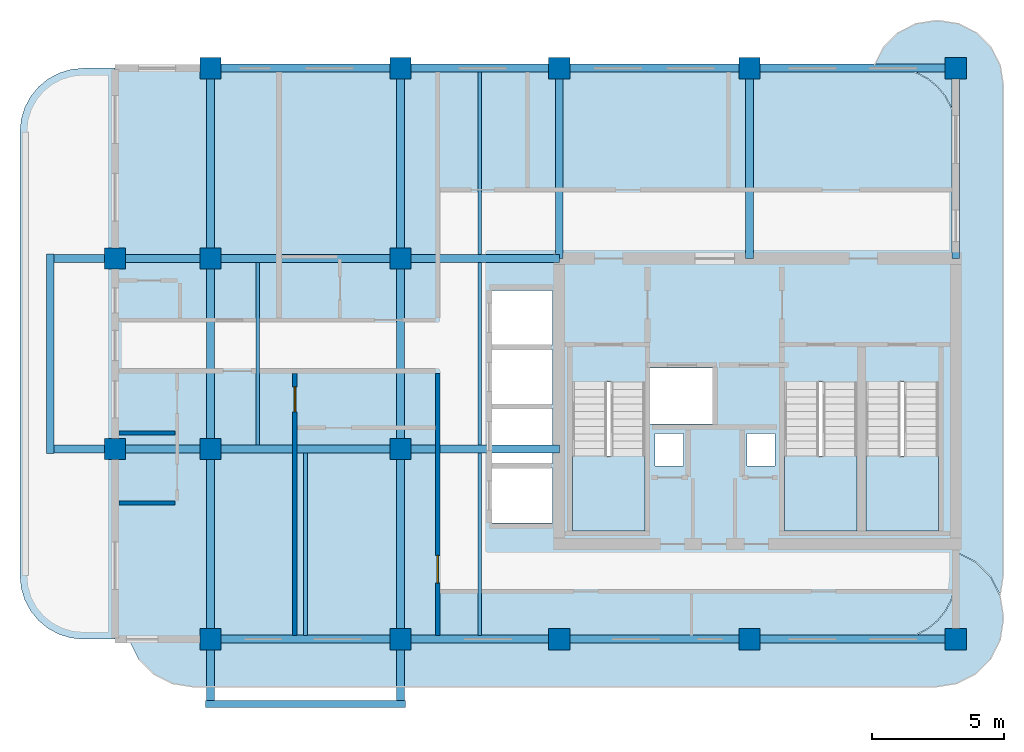
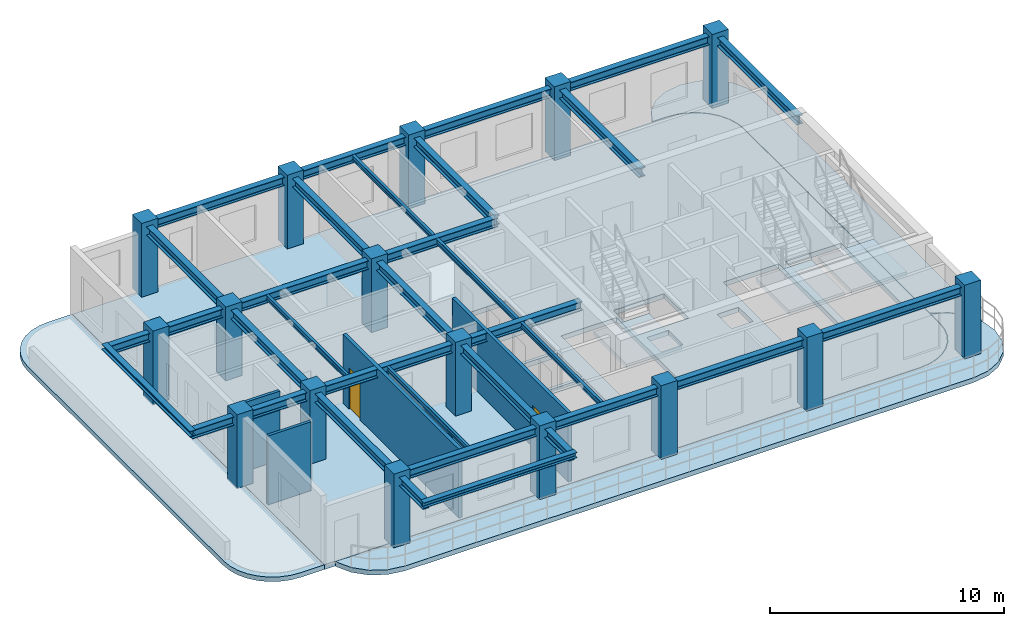
# One storey, part 1 of 7: 28 beams, 16 columns, 7 slabs, 4 walls, 2 doors, 2 openings, 3 elements without a shape of their own.
"""IFC4 building model written with IfcOpenShell, lengths in metres."""

import ifcopenshell
import ifcopenshell.guid

model = None  # the IFC model being written
_history = None  # IfcOwnerHistory: only IFC2X3 demands one
_inside = {}  # id of a spatial element -> (the spatial element, [elements in it])
_under = {}  # id of a project, library or spatial element -> (it, [spatial elements below it])
_declared = {}  # id of a project -> (the project, [libraries it declares])
_typed = {}  # id of a type object -> (the type object, [elements of that type])
_made_of = {}  # id of a material, layer set ... -> (it, [elements and type objects made of it])


def new_model(schema):
    """Start an empty IFC model of exactly this schema.

    Asked for "IFC4X3", IfcOpenShell would pick the latest addendum, in which some entities
    have other attributes; the version numbers below select the first issue.
    IFC2X3 requires an IfcOwnerHistory on every rooted entity: one is made here for all.
    """
    global model, _history
    if schema == "IFC4X3":
        model = ifcopenshell.file(schema_version=(4, 3, 0, 0))
    else:
        model = ifcopenshell.file(schema=schema)
    _inside.clear()
    _under.clear()
    _declared.clear()
    _typed.clear()
    _made_of.clear()
    _history = None
    if model.schema == "IFC2X3":
        org = make("IfcOrganization", Name="unknown")
        user = make(
            "IfcPersonAndOrganization",
            ThePerson=make("IfcPerson", FamilyName="unknown"),
            TheOrganization=org,
        )
        app = make(
            "IfcApplication",
            ApplicationDeveloper=org,
            Version="unknown",
            ApplicationFullName="unknown",
            ApplicationIdentifier="unknown",
        )
        _history = make(
            "IfcOwnerHistory",
            OwningUser=user,
            OwningApplication=app,
            ChangeAction="ADDED",
            CreationDate=0,
        )
    return model


def make(cls, **values):
    """One entity of the class cls with the attributes given. An attribute that is None is left unset."""
    return model.create_entity(
        cls, **{name: value for name, value in values.items() if value is not None}
    )


def rooted(cls, **values):
    """An entity with a GlobalId (a new one), such as an element, a storey or a relation."""
    return make(cls, GlobalId=ifcopenshell.guid.new(), OwnerHistory=_history, **values)


def si_unit(unit_type, name, prefix=None):
    """IfcSIUnit, for example si_unit("LENGTHUNIT", "METRE", prefix="MILLI")."""
    return make("IfcSIUnit", UnitType=unit_type, Prefix=prefix, Name=name)


def derived_unit(unit_type, elements):
    """IfcDerivedUnit: a product of units, each with its exponent."""
    return make(
        "IfcDerivedUnit",
        Elements=[
            make("IfcDerivedUnitElement", Unit=unit, Exponent=power)
            for unit, power in elements
        ],
        UnitType=unit_type,
    )


def assignment(units):
    """IfcUnitAssignment: the units of a project."""
    return None if units is None else make("IfcUnitAssignment", Units=units)


def point(xyz):
    """IfcCartesianPoint."""
    return None if xyz is None else make("IfcCartesianPoint", Coordinates=xyz)


def direction(xyz):
    """IfcDirection."""
    return None if xyz is None else make("IfcDirection", DirectionRatios=xyz)


def frame(location, z_axis=None, x_axis=None):
    """IfcAxis2Placement3D, a coordinate frame: its origin and axes. An axis left out is left unset."""
    return make(
        "IfcAxis2Placement3D",
        Location=point(location),
        Axis=direction(z_axis),
        RefDirection=direction(x_axis),
    )


def frame_2d(location, x_axis=None):
    """IfcAxis2Placement2D, a coordinate frame in the plane: its origin and x axis."""
    return make(
        "IfcAxis2Placement2D", Location=point(location), RefDirection=direction(x_axis)
    )


def origin():
    """The frame at (0, 0, 0) with its axes left unset."""
    return frame((0.0, 0.0, 0.0))


def origin_2d():
    """The frame at (0, 0) in the plane with its x axis left unset."""
    return frame_2d((0.0, 0.0))


def place(relative_to, where):
    """IfcLocalPlacement: puts the frame where relative to a parent placement (None: the world)."""
    return make(
        "IfcLocalPlacement", PlacementRelTo=relative_to, RelativePlacement=where
    )


def context(
    kind, dimensions, precision=None, world=None, true_north=None, identifier=None
):
    """IfcGeometricRepresentationContext, for example the 3D "Model" context."""
    return make(
        "IfcGeometricRepresentationContext",
        ContextIdentifier=identifier,
        ContextType=kind,
        CoordinateSpaceDimension=dimensions,
        Precision=precision,
        WorldCoordinateSystem=world,
        TrueNorth=true_north,
    )


def subcontext(parent, identifier, kind, view, scale=None):
    """IfcGeometricRepresentationSubContext, for example "Body" below "Model"."""
    return make(
        "IfcGeometricRepresentationSubContext",
        ContextIdentifier=identifier,
        ContextType=kind,
        ParentContext=parent,
        TargetScale=scale,
        TargetView=view,
    )


def project(units=None, contexts=None):
    """IfcProject with its units and contexts."""
    return rooted(
        "IfcProject",
        Name="project",
        RepresentationContexts=contexts,
        UnitsInContext=assignment(units),
    )


def spatial(cls, under=None, at=None, **own):
    """A site, building, storey or space (cls), placed at a placement, below another one or the project."""
    s = rooted(cls, ObjectPlacement=at, **own)
    if under is not None:
        _under.setdefault(under.id(), (under, []))[1].append(s)
    return s


def polyline(points):
    """IfcPolyline through the points."""
    return make("IfcPolyline", Points=[point(p) for p in points])


def profile(cls, at=None, kind="AREA", **sizes):
    """A parametric profile (cls). Its sizes go by their IFC names, for example OverallWidth=200.0."""
    return make(cls, ProfileType=kind, Position=at, **sizes)


def rectangle(**sizes):
    """IfcRectangleProfileDef."""
    return profile("IfcRectangleProfileDef", **sizes)


def i_section(**sizes):
    """IfcIShapeProfileDef."""
    return profile("IfcIShapeProfileDef", **sizes)


def outline(outer, holes=None, kind="AREA"):
    """IfcArbitraryClosedProfileDef: a profile drawn as a closed curve; with holes, ...WithVoids."""
    if holes is None:
        return make("IfcArbitraryClosedProfileDef", ProfileType=kind, OuterCurve=outer)
    return make(
        "IfcArbitraryProfileDefWithVoids",
        ProfileType=kind,
        OuterCurve=outer,
        InnerCurves=holes,
    )


def extrude(swept, where, along, depth):
    """IfcExtrudedAreaSolid: the profile swept, set in the frame where, extruded along a direction by depth."""
    return make(
        "IfcExtrudedAreaSolid",
        SweptArea=swept,
        Position=where,
        ExtrudedDirection=direction(along),
        Depth=depth,
    )


def shape(context_of_items, identifier, shape_type, items):
    """IfcShapeRepresentation: the items that make up one representation, for example the "Body"."""
    return make(
        "IfcShapeRepresentation",
        ContextOfItems=context_of_items,
        RepresentationIdentifier=identifier,
        RepresentationType=shape_type,
        Items=items,
    )


def source(mapping_origin, context_of_items, identifier, shape_type, items):
    """IfcRepresentationMap: a shape defined once, which mapped items show again and again."""
    return make(
        "IfcRepresentationMap",
        MappingOrigin=mapping_origin,
        MappedRepresentation=shape(context_of_items, identifier, shape_type, items),
    )


def transform(
    local_origin,
    x_axis=None,
    y_axis=None,
    z_axis=None,
    scale=None,
    scale2=None,
    scale3=None,
    uniform=True,
):
    """IfcCartesianTransformationOperator3D, or its non-uniform kind. x_axis, y_axis, z_axis: its Axis1, 2, 3."""
    if uniform:
        return make(
            "IfcCartesianTransformationOperator3D",
            Axis1=direction(x_axis),
            Axis2=direction(y_axis),
            LocalOrigin=point(local_origin),
            Scale=scale,
            Axis3=direction(z_axis),
        )
    return make(
        "IfcCartesianTransformationOperator3DnonUniform",
        Axis1=direction(x_axis),
        Axis2=direction(y_axis),
        LocalOrigin=point(local_origin),
        Scale=scale,
        Axis3=direction(z_axis),
        Scale2=scale2,
        Scale3=scale3,
    )


def mapped(mapping_source, mapping_target):
    """IfcMappedItem: shows the shape of a source again, moved by a transform."""
    return make(
        "IfcMappedItem", MappingSource=mapping_source, MappingTarget=mapping_target
    )


def material(Name=None, Category=None):
    """IfcMaterial."""
    return make("IfcMaterial", Name=Name, Category=Category)


def layer(
    of_material, thickness, ventilated=None, Name=None, Category=None, Priority=None
):
    """IfcMaterialLayer: one layer of a wall or slab, of a material (None: an air gap)."""
    return make(
        "IfcMaterialLayer",
        Material=of_material,
        LayerThickness=thickness,
        IsVentilated=ventilated,
        Name=Name,
        Category=Category,
        Priority=Priority,
    )


def layer_set(layers, Name=None):
    """IfcMaterialLayerSet."""
    return make("IfcMaterialLayerSet", MaterialLayers=layers, LayerSetName=Name)


def material_profile(
    of_material, cross_section, Name=None, Category=None, Priority=None
):
    """IfcMaterialProfile: a cross section and its material."""
    return make(
        "IfcMaterialProfile",
        Name=Name,
        Material=of_material,
        Profile=cross_section,
        Priority=Priority,
        Category=Category,
    )


def profile_set(profiles, Name=None, composite=None):
    """IfcMaterialProfileSet."""
    return make(
        "IfcMaterialProfileSet",
        Name=Name,
        MaterialProfiles=profiles,
        CompositeProfile=composite,
    )


def made_of(thing, what):
    """Note that an element or type object is made of a material, layer set ...; save() writes the relation."""
    if what is not None:
        _made_of.setdefault(what.id(), (what, []))[1].append(thing)
    return thing


def type_object(cls, material=None, **own):
    """A type object (cls), such as IfcWallType, which elements share."""
    return made_of(rooted(cls, **own), material)


def type_shapes(of_type, sources):
    """Give a type object the sources (RepresentationMaps) that its elements show as mapped items."""
    of_type.RepresentationMaps = sources


def element(
    cls,
    number,
    at=None,
    inside=None,
    cuts=None,
    type_object=None,
    material=None,
    context=None,
    identifier="Body",
    shape_type=None,
    held_by="IfcProductDefinitionShape",
    body=None,
    shapes=None,
    **own,
):
    """One element of the class cls, such as IfcWall. Its Tag is "e" and its number.

    at: its placement. inside: the storey or other place that contains it. cuts: it is an
    opening in that element (IfcRelVoidsElement). A single representation is given by context,
    identifier, shape_type and body (its items); several are given by shapes. held_by: the class
    of the entity that holds the representations. save() writes the other relations.
    """
    e = rooted(cls, Tag="e%d" % number, ObjectPlacement=at, **own)
    if body is not None:
        shapes = [shape(context, identifier, shape_type, body)]
    if shapes is not None:
        e.Representation = make(held_by, Representations=shapes)
    if inside is not None:
        _inside.setdefault(inside.id(), (inside, []))[1].append(e)
    if cuts is not None:
        rooted(
            "IfcRelVoidsElement", RelatingBuildingElement=cuts, RelatedOpeningElement=e
        )
    if type_object is not None:
        _typed.setdefault(type_object.id(), (type_object, []))[1].append(e)
    return made_of(e, material)


def fill(opening, filler):
    """IfcRelFillsElement: the door or window that sits in an opening."""
    return rooted(
        "IfcRelFillsElement",
        RelatingOpeningElement=opening,
        RelatedBuildingElement=filler,
    )


def aggregate(whole, parts):
    """IfcRelAggregates: a whole, such as a stair, and the parts it consists of."""
    return rooted("IfcRelAggregates", RelatingObject=whole, RelatedObjects=parts)


def save(model, path):
    """Write the relations noted so far, then the file.

    IfcRelAggregates (storeys below a building ...), IfcRelContainedInSpatialStructure (elements
    in a storey), IfcRelDefinesByType, IfcRelAssociatesMaterial and IfcRelDeclares: one each for
    every whole, place, type object, material and project.
    """
    for whole, parts in _under.values():
        aggregate(whole, parts)
    for where, things in _inside.values():
        rooted(
            "IfcRelContainedInSpatialStructure",
            RelatedElements=things,
            RelatingStructure=where,
        )
    for kind, things in _typed.values():
        rooted("IfcRelDefinesByType", RelatedObjects=things, RelatingType=kind)
    for what, things in _made_of.values():
        rooted("IfcRelAssociatesMaterial", RelatedObjects=things, RelatingMaterial=what)
    for by, libraries in _declared.values():
        rooted("IfcRelDeclares", RelatingContext=by, RelatedDefinitions=libraries)
    model.write(path)


model = new_model("IFC4")

# Units and contexts
model_context = context("Model", 3, precision=1e-05, world=origin(), true_north=direction((0.0, 1.0)))
body_context = subcontext(model_context, "Body", "Model", "MODEL_VIEW")
ifc_project = project(units=[si_unit("LENGTHUNIT", "METRE"), si_unit("AREAUNIT", "SQUARE_METRE"), si_unit("VOLUMEUNIT", "CUBIC_METRE"), si_unit("PLANEANGLEUNIT", "RADIAN"), si_unit("MASSUNIT", "GRAM", prefix="KILO"), si_unit("THERMODYNAMICTEMPERATUREUNIT", "KELVIN"), si_unit("POWERUNIT", "WATT"), derived_unit("THERMALTRANSMITTANCEUNIT", [(si_unit("POWERUNIT", "WATT"), 1), (si_unit("AREAUNIT", "SQUARE_METRE"), -1), (si_unit("THERMODYNAMICTEMPERATUREUNIT", "KELVIN"), -1)])], contexts=[model_context])

# Site, building, storey
site_placement = place(None, origin())
site = spatial("IfcSite", under=ifc_project, at=site_placement, CompositionType="ELEMENT")
building_placement = place(site_placement, origin())
building = spatial("IfcBuilding", under=site, at=building_placement, Name="Zahravan Archway Hotel and Residences", CompositionType="ELEMENT")
storey_placement = place(building_placement, frame((0.0, 0.0, 251.949951171875)))
storey = spatial("IfcBuildingStorey", under=building, at=storey_placement, Name="L63", CompositionType="ELEMENT", Elevation=251.949951171875)

# Columns
ifc_material_1 = material(Name="Concrete C50/60", Category="concrete")
ifc_material_profile_1 = material_profile(ifc_material_1, rectangle(XDim=0.800048828125, YDim=0.800048828125, at=origin_2d()), Name="RC-COL-800x800", Category="concrete")
ifc_profile_set_1 = profile_set([ifc_material_profile_1], Name="Concrete C50/60")
column_type = type_object("IfcColumnType", Name="COL-RC-800", PredefinedType="COLUMN", material=ifc_profile_set_1)
shared_shape_1 = source(origin(), body_context, "Body", "SweptSolid", [
    extrude(rectangle(XDim=0.800048828125, YDim=0.800048828125, at=origin_2d()), origin(), (0.0, 0.0, 1.0), 3.85009765625),
])
for number, where, z_axis, x_axis, name in (
    (1, (21.60009765625, 0.0, 0.0), (0.0, 0.0, 1.0), (1.0, 0.0, 0.0), "L63 Column 4-A"),
    (2, (21.60009765625, 7.199951171875, 0.0), (0.0, 0.0, 1.0), (1.0, 0.0, 0.0), "L63 Column 4-B"),
    (3, (21.60009765625, 14.39990234375, 0.0), (0.0, 0.0, 1.0), (1.0, 0.0, 0.0), "L63 Column 4-C"),
    (4, (21.60009765625, 21.60009765625, 0.0), (0.0, 0.0, 1.0), (1.0, 0.0, 0.0), "L63 Column 4-D"),
    (5, (28.800048828125, 0.0, 0.0), (0.0, 0.0, 1.0), (1.0, 0.0, 0.0), "L63 Column 5-A"),
    (6, (28.800048828125, 7.199951171875, 0.0), (0.0, 0.0, 1.0), (1.0, 0.0, 0.0), "L63 Column 5-B"),
    (7, (28.800048828125, 14.39990234375, 0.0), (0.0, 0.0, 1.0), (1.0, 0.0, 0.0), "L63 Column 5-C"),
    (8, (28.800048828125, 21.60009765625, 0.0), (0.0, 0.0, 1.0), (1.0, 0.0, 0.0), "L63 Column 5-D"),
    (9, (34.800048828125, 0.0, 0.0), (0.0, 0.0, 1.0), (1.0, 0.0, 0.0), "L63 Column 6-A"),
    (10, (34.800048828125, 21.60009765625, 0.0), (0.0, 0.0, 1.0), (1.0, 0.0, 0.0), "L63 Column 6-D"),
    (11, (42.0, 0.0, 0.0), (0.0, 0.0, 1.0), (1.0, 0.0, 0.0), "L63 Column 7-A"),
    (12, (42.0, 21.60009765625, 0.0), (0.0, 0.0, 1.0), (1.0, 0.0, 0.0), "L63 Column 7-D"),
    (13, (49.800048828125, 0.0, 0.0), (0.0, 0.0, 1.0), (1.0, 0.0, 0.0), "L63 Column 8-A"),
    (14, (49.800048828125, 21.60009765625, 0.0), (0.0, 0.0, 1.0), (1.0, 0.0, 0.0), "L63 Column 8-D"),
    (15, (18.0, 7.199951171875, 0.0), (0.0, 0.0, 1.0), (1.0, 0.0, 0.0), "L63 Column 3W-B"),
    (16, (18.0, 14.39990234375, 0.0), (0.0, 0.0, 1.0), (1.0, 0.0, 0.0), "L63 Column 3W-C"),
):
    element("IfcColumn", number, at=place(storey_placement, frame(where, z_axis=z_axis, x_axis=x_axis)), inside=storey, type_object=column_type, Name=name, PredefinedType="COLUMN", context=body_context, shape_type="MappedRepresentation", body=[
        mapped(shared_shape_1, transform((0.0, 0.0, 0.0), scale=1.0)),
    ])

# Beams
ifc_material_2 = material(Name="Structural Steel S355JR", Category="steel")
ifc_material_profile_2 = material_profile(ifc_material_2, i_section(OverallWidth=0.280029296875, OverallDepth=0.280029296875, WebThickness=0.010498046875, FlangeThickness=0.01806640625, FilletRadius=0.02392578125, at=origin_2d()), Name="HEB 280", Category="steel")
ifc_profile_set_2 = profile_set([ifc_material_profile_2], Name="Structural Steel S355JR")
beam_type_1 = type_object("IfcBeamType", Name="BM-SPN-HEB280", PredefinedType="SPANDREL", material=ifc_profile_set_2)
shared_shape_2 = source(origin(), body_context, "Body", "SweptSolid", [
    extrude(i_section(OverallWidth=0.280029296875, OverallDepth=0.280029296875, WebThickness=0.010498046875, FlangeThickness=0.01806640625, FilletRadius=0.02392578125, at=origin_2d()), origin(), (0.0, 0.0, 1.0), 7.56005859375),
])
type_shapes(beam_type_1, [shared_shape_2])
for number, where, z_axis, x_axis, name in (
    (17, (15.550048828125, 7.02001953125, 3.4599609375), (0.0, 1.0, 0.0), (-1.0, 0.0, 0.0), "L64 WA Balcony Edge Spandrel"),
    (18, (21.419921875, -2.449951171875, 3.4599609375), (1.0, 0.0, 0.0), (0.0, 1.0, 0.0), "L64 SA Balcony Edge Spandrel"),
):
    element("IfcBeam", number, at=place(storey_placement, frame(where, z_axis=z_axis, x_axis=x_axis)), inside=storey, type_object=beam_type_1, Name=name, PredefinedType="SPANDREL", context=body_context, shape_type="MappedRepresentation", body=[
        mapped(shared_shape_2, transform((0.0, 0.0, 0.0), scale=1.0)),
    ])
ifc_material_profile_3 = material_profile(ifc_material_2, i_section(OverallWidth=0.300048828125, OverallDepth=0.449951171875, WebThickness=0.013916015625, FlangeThickness=0.02587890625, FilletRadius=0.027099609375, at=origin_2d()), Name="HEB 450", Category="steel")
ifc_profile_set_3 = profile_set([ifc_material_profile_3], Name="Structural Steel S355JR")
beam_type_2 = type_object("IfcBeamType", Name="BM-PRI-HEB450", PredefinedType="BEAM", material=ifc_profile_set_3)
shared_shape_3 = source(origin(), body_context, "Body", "SweptSolid", [
    extrude(i_section(OverallWidth=0.300048828125, OverallDepth=0.449951171875, WebThickness=0.013916015625, FlangeThickness=0.02587890625, FilletRadius=0.027099609375, at=origin_2d()), origin(), (0.0, 0.0, 1.0), 7.2001953125),
])
type_shapes(beam_type_2, [shared_shape_3])
for number, where, z_axis, x_axis, name in (
    (19, (21.60009765625, 14.39990234375, 3.375), (0.0, 1.0, 0.0), (-1.0, 0.0, 0.0), "L63 Primary Girder NS-15"),
    (20, (28.800048828125, 14.39990234375, 3.375), (0.0, 1.0, 0.0), (-1.0, 0.0, 0.0), "L63 Primary Girder NS-18"),
    (21, (34.800048828125, 14.39990234375, 3.375), (0.0, 1.0, 0.0), (-1.0, 0.0, 0.0), "L63 Primary Girder NS-19"),
    (22, (42.0, 14.39990234375, 3.375), (0.0, 1.0, 0.0), (-1.0, 0.0, 0.0), "L63 Primary Girder NS-20"),
    (23, (49.800048828125, 14.39990234375, 3.375), (0.0, 1.0, 0.0), (-1.0, 0.0, 0.0), "L63 Primary Girder NS-21"),
):
    element("IfcBeam", number, at=place(storey_placement, frame(where, z_axis=z_axis, x_axis=x_axis)), inside=storey, type_object=beam_type_2, Name=name, PredefinedType="BEAM", context=body_context, shape_type="MappedRepresentation", body=[
        mapped(shared_shape_3, transform((0.0, 0.0, 0.0), scale=1.0)),
    ])
shared_shape_4 = source(origin(), body_context, "Body", "SweptSolid", [
    extrude(i_section(OverallWidth=0.300048828125, OverallDepth=0.449951171875, WebThickness=0.013916015625, FlangeThickness=0.02587890625, FilletRadius=0.027099609375, at=origin_2d()), origin(), (0.0, 0.0, 1.0), 7.199951171875),
])
for number, where, z_axis, x_axis, name in (
    (24, (21.60009765625, 0.0, 3.375), (1.0, 0.0, 0.0), (0.0, 1.0, 0.0), "L63 Primary Girder EW-01"),
    (25, (34.800048828125, 0.0, 3.375), (1.0, 0.0, 0.0), (0.0, 1.0, 0.0), "L63 Primary Girder EW-03"),
    (26, (21.60009765625, 21.60009765625, 3.375), (1.0, 0.0, 0.0), (0.0, 1.0, 0.0), "L63 Primary Girder EW-09"),
    (27, (34.800048828125, 21.60009765625, 3.375), (1.0, 0.0, 0.0), (0.0, 1.0, 0.0), "L63 Primary Girder EW-11"),
    (28, (21.60009765625, 7.199951171875, 3.375), (0.0, 1.0, 0.0), (-1.0, 0.0, 0.0), "L63 Primary Girder NS-14"),
    (29, (28.800048828125, 7.199951171875, 3.375), (0.0, 1.0, 0.0), (-1.0, 0.0, 0.0), "L63 Primary Girder NS-17"),
):
    element("IfcBeam", number, at=place(storey_placement, frame(where, z_axis=z_axis, x_axis=x_axis)), inside=storey, type_object=beam_type_2, Name=name, PredefinedType="BEAM", context=body_context, shape_type="MappedRepresentation", body=[
        mapped(shared_shape_4, transform((0.0, 0.0, 0.0), scale=1.0)),
    ])
shared_shape_5 = source(origin(), body_context, "Body", "SweptSolid", [
    extrude(i_section(OverallWidth=0.300048828125, OverallDepth=0.449951171875, WebThickness=0.013916015625, FlangeThickness=0.02587890625, FilletRadius=0.027099609375, at=origin_2d()), origin(), (0.0, 0.0, 1.0), 6.0),
])
for number, where, z_axis, x_axis, name in (
    (30, (28.800048828125, 0.0, 3.375), (1.0, 0.0, 0.0), (0.0, 1.0, 0.0), "L63 Primary Girder EW-02"),
    (31, (28.800048828125, 7.199951171875, 3.375), (1.0, 0.0, 0.0), (0.0, 1.0, 0.0), "L63 Primary Girder EW-06"),
    (32, (28.800048828125, 14.39990234375, 3.375), (1.0, 0.0, 0.0), (0.0, 1.0, 0.0), "L63 Primary Girder EW-08"),
    (33, (28.800048828125, 21.60009765625, 3.375), (1.0, 0.0, 0.0), (0.0, 1.0, 0.0), "L63 Primary Girder EW-10"),
):
    element("IfcBeam", number, at=place(storey_placement, frame(where, z_axis=z_axis, x_axis=x_axis)), inside=storey, type_object=beam_type_2, Name=name, PredefinedType="BEAM", context=body_context, shape_type="MappedRepresentation", body=[
        mapped(shared_shape_5, transform((0.0, 0.0, 0.0), scale=1.0)),
    ])
shared_shape_6 = source(origin(), body_context, "Body", "SweptSolid", [
    extrude(i_section(OverallWidth=0.300048828125, OverallDepth=0.449951171875, WebThickness=0.013916015625, FlangeThickness=0.02587890625, FilletRadius=0.027099609375, at=origin_2d()), origin(), (0.0, 0.0, 1.0), 7.800048828125),
])
for number, where, z_axis, x_axis, name in (
    (34, (42.0, 0.0, 3.375), (1.0, 0.0, 0.0), (0.0, 1.0, 0.0), "L63 Primary Girder EW-04"),
    (35, (42.0, 21.60009765625, 3.375), (1.0, 0.0, 0.0), (0.0, 1.0, 0.0), "L63 Primary Girder EW-12"),
):
    element("IfcBeam", number, at=place(storey_placement, frame(where, z_axis=z_axis, x_axis=x_axis)), inside=storey, type_object=beam_type_2, Name=name, PredefinedType="BEAM", context=body_context, shape_type="MappedRepresentation", body=[
        mapped(shared_shape_6, transform((0.0, 0.0, 0.0), scale=1.0)),
    ])
shared_shape_7 = source(origin(), body_context, "Body", "SweptSolid", [
    extrude(i_section(OverallWidth=0.300048828125, OverallDepth=0.449951171875, WebThickness=0.013916015625, FlangeThickness=0.02587890625, FilletRadius=0.027099609375, at=origin_2d()), origin(), (0.0, 0.0, 1.0), 9.64990234375),
])
for number, where, z_axis, x_axis, name in (
    (36, (21.60009765625, -2.449951171875, 3.375), (0.0, 1.0, 0.0), (-1.0, 0.0, 0.0), "L63 Primary Girder NS-13"),
    (37, (28.800048828125, -2.449951171875, 3.375), (0.0, 1.0, 0.0), (-1.0, 0.0, 0.0), "L63 Primary Girder NS-16"),
):
    element("IfcBeam", number, at=place(storey_placement, frame(where, z_axis=z_axis, x_axis=x_axis)), inside=storey, type_object=beam_type_2, Name=name, PredefinedType="BEAM", context=body_context, shape_type="MappedRepresentation", body=[
        mapped(shared_shape_7, transform((0.0, 0.0, 0.0), scale=1.0)),
    ])
ifc_material_profile_4 = material_profile(ifc_material_2, i_section(OverallWidth=0.135009765625, OverallDepth=0.27001953125, WebThickness=0.006591796875, FlangeThickness=0.01025390625, FilletRadius=0.014892578125, at=origin_2d()), Name="IPE 270", Category="steel")
ifc_profile_set_4 = profile_set([ifc_material_profile_4], Name="Structural Steel S355JR")
beam_type_3 = type_object("IfcBeamType", Name="BM-JST-IPE270", PredefinedType="JOIST", material=ifc_profile_set_4)
shared_shape_8 = source(origin(), body_context, "Body", "SweptSolid", [
    extrude(i_section(OverallWidth=0.135009765625, OverallDepth=0.27001953125, WebThickness=0.006591796875, FlangeThickness=0.01025390625, FilletRadius=0.014892578125, at=origin_2d()), origin(), (0.0, 0.0, 1.0), 6.904052734375),
])
type_shapes(beam_type_3, [shared_shape_8])
for number, where, z_axis, x_axis, name in (
    (38, (25.199951171875, 0.14794921875, 3.465087890625), (0.0, 1.0, 0.0), (-1.0, 0.0, 0.0), "L63 Composite Floor Joist 01"),
    (39, (31.800048828125, 0.14794921875, 3.465087890625), (0.0, 1.0, 0.0), (-1.0, 0.0, 0.0), "L63 Composite Floor Joist 02"),
    (40, (23.39990234375, 7.347900390625, 3.465087890625), (0.0, 1.0, 0.0), (-1.0, 0.0, 0.0), "L63 Composite Floor Joist 03"),
    (41, (31.800048828125, 7.347900390625, 3.465087890625), (0.0, 1.0, 0.0), (-1.0, 0.0, 0.0), "L63 Composite Floor Joist 04"),
):
    element("IfcBeam", number, at=place(storey_placement, frame(where, z_axis=z_axis, x_axis=x_axis)), inside=storey, type_object=beam_type_3, Name=name, PredefinedType="JOIST", context=body_context, shape_type="MappedRepresentation", body=[
        mapped(shared_shape_8, transform((0.0, 0.0, 0.0), scale=1.0)),
    ])
shared_shape_9 = source(origin(), body_context, "Body", "SweptSolid", [
    extrude(i_section(OverallWidth=0.135009765625, OverallDepth=0.27001953125, WebThickness=0.006591796875, FlangeThickness=0.01025390625, FilletRadius=0.014892578125, at=origin_2d()), origin(), (0.0, 0.0, 1.0), 6.90380859375),
])
beam_placement = place(storey_placement, frame((31.800048828125, 14.548095703125, 3.465087890625), z_axis=(0.0, 1.0, 0.0), x_axis=(-1.0, 0.0, 0.0)))
element("IfcBeam", 42, at=beam_placement, inside=storey, type_object=beam_type_3, Name="L63 Composite Floor Joist 05", PredefinedType="JOIST", context=body_context, shape_type="MappedRepresentation", body=[
    mapped(shared_shape_9, transform((0.0, 0.0, 0.0), scale=1.0)),
])
shared_shape_10 = source(origin(), body_context, "Body", "SweptSolid", [
    extrude(i_section(OverallWidth=0.300048828125, OverallDepth=0.449951171875, WebThickness=0.013916015625, FlangeThickness=0.02587890625, FilletRadius=0.027099609375, at=origin_2d()), origin(), (0.0, 0.0, 1.0), 13.25),
])
for number, where, z_axis, x_axis, name in (
    (43, (15.550048828125, 7.199951171875, 3.375), (1.0, 0.0, 0.0), (0.0, 1.0, 0.0), "L63 Primary Girder EW-05"),
    (44, (15.550048828125, 14.39990234375, 3.375), (1.0, 0.0, 0.0), (0.0, 1.0, 0.0), "L63 Primary Girder EW-07"),
):
    element("IfcBeam", number, at=place(storey_placement, frame(where, z_axis=z_axis, x_axis=x_axis)), inside=storey, type_object=beam_type_2, Name=name, PredefinedType="BEAM", context=body_context, shape_type="MappedRepresentation", body=[
        mapped(shared_shape_10, transform((0.0, 0.0, 0.0), scale=1.0)),
    ])

# Slabs
ifc_material_3 = material(Name="Concrete C45/55", Category="concrete")
ifc_layer_1 = layer(ifc_material_3, 0.25, Name="Concrete C45/55", Category="concrete")
ifc_layer_set_1 = layer_set([ifc_layer_1], Name="Concrete C45/55")
slab_type_1 = type_object("IfcSlabType", Name="SLB-BALC-250", PredefinedType="FLOOR", material=ifc_layer_set_1)
slab_1_placement = place(storey_placement, frame((0.0, 0.0, -0.25)))
element("IfcSlab", 45, at=slab_1_placement, inside=storey, type_object=slab_type_1, Name="L63 Wing A South Rounded Balcony Band", PredefinedType="FLOOR", context=body_context, shape_type="SweptSolid", body=[
    extrude(outline(polyline([(49.837890625, 3.275146484375), (50.548828125, 2.9130859375), (51.113037109375, 2.348876953125), (51.47509765625, 1.637939453125), (51.60009765625, 0.85009765625), (51.60009765625, 0.75), (51.47509765625, -0.0380859375), (51.113037109375, -0.748779296875), (50.548828125, -1.31298828125), (49.837890625, -1.67529296875), (49.050048828125, -1.800048828125), (20.949951171875, -1.800048828125), (20.162109375, -1.67529296875), (19.451171875, -1.31298828125), (18.886962890625, -0.748779296875), (18.52490234375, -0.0380859375), (18.52197265625, -0.02001953125), (47.39990234375, -0.02001953125), (47.402099609375, -0.02001953125), (47.8701171875, 0.026123046875), (47.8720703125, 0.026611328125), (47.8740234375, 0.027099609375), (48.32421875, 0.16357421875), (48.326171875, 0.164306640625), (48.327880859375, 0.1650390625), (48.742919921875, 0.386962890625), (48.744384765625, 0.387939453125), (48.74609375, 0.388916015625), (49.10986328125, 0.6875), (49.111083984375, 0.688720703125), (49.112548828125, 0.690185546875), (49.410888671875, 1.053955078125), (49.412109375, 1.055419921875), (49.4130859375, 1.05712890625), (49.635009765625, 1.47216796875), (49.6357421875, 1.473876953125), (49.636474609375, 1.475830078125), (49.77294921875, 1.926025390625), (49.7734375, 1.927978515625), (49.773681640625, 1.9296875), (49.81982421875, 2.39794921875), (49.820068359375, 2.39990234375), (49.820068359375, 3.278076171875), (49.837890625, 3.275146484375)])), origin(), (0.0, 0.0, 1.0), 0.25),
])
slab_2_placement = place(storey_placement, frame((0.0, 0.0, -0.25)))
element("IfcSlab", 46, at=slab_2_placement, inside=storey, type_object=slab_type_1, Name="L63 Wing A East Rounded Balcony Band", PredefinedType="FLOOR", context=body_context, shape_type="SweptSolid", body=[
    extrude(outline(polyline([(46.719970703125, 21.70703125), (47.06787109375, 22.39013671875), (47.60986328125, 22.93212890625), (48.29296875, 23.280029296875), (49.050048828125, 23.39990234375), (49.14990234375, 23.39990234375), (49.906982421875, 23.280029296875), (50.590087890625, 22.93212890625), (51.132080078125, 22.39013671875), (51.47998046875, 21.70703125), (51.60009765625, 20.949951171875), (51.60009765625, 2.449951171875), (51.47998046875, 1.69287109375), (51.474853515625, 1.6826171875), (51.130859375, 2.35791015625), (51.1298828125, 2.35986328125), (51.12841796875, 2.361572265625), (51.127197265625, 2.363037109375), (50.56298828125, 2.927001953125), (50.5615234375, 2.928466796875), (50.559814453125, 2.9296875), (50.55810546875, 2.930908203125), (49.84716796875, 3.29296875), (49.84521484375, 3.2939453125), (49.84326171875, 3.29443359375), (49.841064453125, 3.294921875), (49.822998046875, 3.2978515625), (49.8212890625, 3.298095703125), (49.820068359375, 3.298095703125), (49.820068359375, 19.199951171875), (49.81982421875, 19.201904296875), (49.773681640625, 19.670166015625), (49.7734375, 19.672119140625), (49.77294921875, 19.674072265625), (49.636474609375, 20.124267578125), (49.6357421875, 20.126220703125), (49.635009765625, 20.127685546875), (49.4130859375, 20.542724609375), (49.412109375, 20.54443359375), (49.410888671875, 20.546142578125), (49.112548828125, 20.909912109375), (49.111083984375, 20.9111328125), (49.10986328125, 20.91259765625), (48.74609375, 21.2109375), (48.744384765625, 21.212158203125), (48.742919921875, 21.213134765625), (48.327880859375, 21.434814453125), (48.326171875, 21.435791015625), (48.32421875, 21.436279296875), (47.8740234375, 21.572998046875), (47.8720703125, 21.573486328125), (47.8701171875, 21.57373046875), (47.402099609375, 21.619873046875), (47.39990234375, 21.6201171875), (46.7060546875, 21.6201171875), (46.719970703125, 21.70703125)])), origin(), (0.0, 0.0, 1.0), 0.25),
])
ifc_layer_2 = layer(ifc_material_3, 0.25, Name="Concrete C45/55", Category="concrete")
ifc_layer_set_2 = layer_set([ifc_layer_2], Name="Concrete C45/55")
slab_type_2 = type_object("IfcSlabType", Name="SLB-FLR-250", PredefinedType="FLOOR", material=ifc_layer_set_2)
slab_3_placement = place(storey_placement, frame((0.0, 0.0, -0.25)))
element("IfcSlab", 47, at=slab_3_placement, inside=storey, type_object=slab_type_2, Name="L63 Floor Slab WA", PredefinedType="FLOOR", context=body_context, shape_type="SweptSolid", body=[
    extrude(outline(polyline([(18.0, 0.0), (47.39990234375, 0.0), (47.8681640625, 0.046142578125), (48.318359375, 0.1826171875), (48.7333984375, 0.404541015625), (49.09716796875, 0.702880859375), (49.3955078125, 1.066650390625), (49.6171875, 1.481689453125), (49.75390625, 1.931884765625), (49.800048828125, 2.39990234375), (49.800048828125, 19.199951171875), (49.75390625, 19.668212890625), (49.6171875, 20.118408203125), (49.3955078125, 20.533447265625), (49.09716796875, 20.897216796875), (48.7333984375, 21.195556640625), (48.318359375, 21.417236328125), (47.8681640625, 21.553955078125), (47.39990234375, 21.60009765625), (18.0, 21.60009765625), (18.0, 0.0)]), holes=[polyline([(35.300048828125, 9.72998046875), (35.300048828125, 4.10009765625), (38.0400390625, 4.10009765625), (38.0400390625, 9.72998046875), (35.300048828125, 9.72998046875)]), polyline([(43.320068359375, 9.72998046875), (43.320068359375, 4.10009765625), (46.06005859375, 4.10009765625), (46.06005859375, 9.72998046875), (43.320068359375, 9.72998046875)]), polyline([(46.39990234375, 9.72998046875), (46.39990234375, 4.10009765625), (49.139892578125, 4.10009765625), (49.139892578125, 9.72998046875), (46.39990234375, 9.72998046875)]), polyline([(38.179931640625, 8.14990234375), (40.699951171875, 8.14990234375), (40.699951171875, 10.25), (38.179931640625, 10.25), (38.179931640625, 8.14990234375)]), polyline([(32.25, 4.39990234375), (34.550048828125, 4.39990234375), (34.550048828125, 6.47998046875), (32.25, 6.47998046875), (32.25, 4.39990234375)]), polyline([(32.25, 6.639892578125), (34.550048828125, 6.639892578125), (34.550048828125, 8.719970703125), (32.25, 8.719970703125), (32.25, 6.639892578125)]), polyline([(32.25, 8.8798828125), (34.550048828125, 8.8798828125), (34.550048828125, 10.9599609375), (32.25, 10.9599609375), (32.25, 8.8798828125)]), polyline([(32.25, 11.1201171875), (34.550048828125, 11.1201171875), (34.550048828125, 13.199951171875), (32.25, 13.199951171875), (32.25, 11.1201171875)]), polyline([(38.419921875, 6.56005859375), (39.5, 6.56005859375), (39.5, 7.780029296875), (38.419921875, 7.780029296875), (38.419921875, 6.56005859375)]), polyline([(41.89990234375, 6.56005859375), (42.9599609375, 6.56005859375), (42.9599609375, 7.780029296875), (41.89990234375, 7.780029296875), (41.89990234375, 6.56005859375)])]), origin(), (0.0, 0.0, 1.0), 0.25),
])

# Stair, slab
stair_type = type_object("IfcStairType", Name="STR-CORE-1300", PredefinedType="HALF_TURN_STAIR", material=ifc_material_1)
stair_1_placement = place(storey_placement, origin())
stair_1 = element("IfcStair", 48, at=stair_1_placement, inside=storey, type_object=stair_type, Name="L63 Core A Exit Stair 1", PredefinedType="HALF_TURN_STAIR")
ifc_layer_3 = layer(ifc_material_1, 0.199951171875, Name="Concrete C50/60", Category="concrete")
ifc_layer_set_3 = layer_set([ifc_layer_3], Name="Concrete C50/60")
slab_type_3 = type_object("IfcSlabType", Name="SLB-LND-200", PredefinedType="LANDING", material=ifc_layer_set_3)
slab_4_placement = place(storey_placement, frame((0.0, 0.0, 1.72509765625)))
slab_4 = element("IfcSlab", 49, at=slab_4_placement, type_object=slab_type_3, Name="ST-A1 landing 1", PredefinedType="LANDING", context=body_context, shape_type="SweptSolid", body=[
    extrude(outline(polyline([(35.300048828125, 6.929931640625), (35.300048828125, 4.10009765625), (38.0400390625, 4.10009765625), (38.0400390625, 6.929931640625), (35.300048828125, 6.929931640625)])), origin(), (0.0, 0.0, 1.0), 0.199951171875),
])
aggregate(stair_1, [slab_4])

stair_2_placement = place(storey_placement, origin())
stair_2 = element("IfcStair", 50, at=stair_2_placement, inside=storey, type_object=stair_type, Name="L63 Core A Exit Stair 2", PredefinedType="HALF_TURN_STAIR")
slab_5_placement = place(storey_placement, frame((0.0, 0.0, 1.72509765625)))
slab_5 = element("IfcSlab", 51, at=slab_5_placement, type_object=slab_type_3, Name="ST-A2 landing 1", PredefinedType="LANDING", context=body_context, shape_type="SweptSolid", body=[
    extrude(outline(polyline([(43.320068359375, 6.929931640625), (43.320068359375, 4.10009765625), (46.06005859375, 4.10009765625), (46.06005859375, 6.929931640625), (43.320068359375, 6.929931640625)])), origin(), (0.0, 0.0, 1.0), 0.199951171875),
])
aggregate(stair_2, [slab_5])

stair_3_placement = place(storey_placement, origin())
stair_3 = element("IfcStair", 52, at=stair_3_placement, inside=storey, type_object=stair_type, Name="L63 Core A Exit Stair 3", PredefinedType="HALF_TURN_STAIR")
slab_6_placement = place(storey_placement, frame((0.0, 0.0, 1.72509765625)))
slab_6 = element("IfcSlab", 53, at=slab_6_placement, type_object=slab_type_3, Name="ST-A3 landing 1", PredefinedType="LANDING", context=body_context, shape_type="SweptSolid", body=[
    extrude(outline(polyline([(46.39990234375, 6.929931640625), (46.39990234375, 4.10009765625), (49.139892578125, 4.10009765625), (49.139892578125, 6.929931640625), (46.39990234375, 6.929931640625)])), origin(), (0.0, 0.0, 1.0), 0.199951171875),
])
aggregate(stair_3, [slab_6])

# Slab
ifc_layer_4 = layer(ifc_material_3, 0.239990234375, Name="Concrete C45/55", Category="concrete")
ifc_layer_set_4 = layer_set([ifc_layer_4], Name="Concrete C45/55")
slab_type_4 = type_object("IfcSlabType", Name="SLB-ROOF-240", PredefinedType="ROOF", material=ifc_layer_set_4)
slab_7_placement = place(storey_placement, frame((0.0, 0.0, -0.239990234375)))
element("IfcSlab", 54, at=slab_7_placement, inside=storey, type_object=slab_type_4, Name="L63 West Setback Sky Terrace Slab", PredefinedType="ROOF", context=body_context, shape_type="SweptSolid", body=[
    extrude(outline(polyline([(16.331787109375, 0.046142578125), (15.881591796875, 0.1826171875), (15.466552734375, 0.404541015625), (15.102783203125, 0.702880859375), (14.804443359375, 1.066650390625), (14.582763671875, 1.481689453125), (14.446044921875, 1.931884765625), (14.39990234375, 2.39990234375), (14.39990234375, 19.199951171875), (14.446044921875, 19.668212890625), (14.582763671875, 20.118408203125), (14.804443359375, 20.533447265625), (15.102783203125, 20.897216796875), (15.466552734375, 21.195556640625), (15.881591796875, 21.417236328125), (16.331787109375, 21.553955078125), (16.800048828125, 21.60009765625), (17.989990234375, 21.60009765625), (17.989990234375, 0.0), (16.800048828125, 0.0), (16.331787109375, 0.046142578125)])), origin(), (0.0, 0.0, 1.0), 0.239990234375),
])

# Wall, opening, door
ifc_material_4 = material(Name="Fire-Rated Gypsum & Concrete Block", Category="concrete")
ifc_layer_5 = layer(ifc_material_4, 0.159912109375, Name="Fire-Rated Gypsum & Concrete Block", Category="concrete")
ifc_layer_set_5 = layer_set([ifc_layer_5], Name="Fire-Rated Gypsum & Concrete Block")
wall_type_1 = type_object("IfcWallType", Name="PW-CORR-160", PredefinedType="PARTITIONING", material=ifc_layer_set_5)
wall_1_placement = place(storey_placement, frame((30.199951171875, 0.14794921875, 0.0), z_axis=(0.0, 0.0, 1.0), x_axis=(0.0, 1.0, 0.0)))
wall_1 = element("IfcWall", 55, at=wall_1_placement, inside=storey, type_object=wall_type_1, Name="L63 Partition WA-SRW", PredefinedType="PARTITIONING", context=body_context, shape_type="SweptSolid", body=[
    extrude(rectangle(XDim=9.912109375, YDim=0.159912109375, at=frame_2d((4.9560546875, 0.0))), origin(), (0.0, 0.0, 1.0), 3.60009765625),
])
opening_1_placement = place(wall_1_placement, frame((1.97705078125, 0.0, 0.0)))
opening_1 = element("IfcOpeningElement", 56, at=opening_1_placement, cuts=wall_1, Name="Opening FD-L2", PredefinedType="OPENING", context=body_context, shape_type="SweptSolid", body=[
    extrude(rectangle(XDim=1.050048828125, YDim=2.14990234375, at=frame_2d((0.52490234375, 1.074951171875))), frame((0.0, 0.08984375, 0.0), z_axis=(0.0, -1.0, 0.0), x_axis=(1.0, 0.0, 0.0)), (0.0, 0.0, 1.0), 0.179931640625),
])
ifc_material_5 = material(Name="Fire-Rated Painted Steel", Category="steel")
door_type_1 = type_object("IfcDoorType", Name="FD-LOBBY-1100", OperationType="NOTDEFINED", PredefinedType="DOOR", material=ifc_material_5)
shared_shape_11 = source(origin(), body_context, "Body", "SweptSolid", [
    extrude(rectangle(XDim=1.050048828125, YDim=2.14990234375, at=frame_2d((0.52490234375, 1.074951171875))), frame((0.0, 0.02490234375, 0.0), z_axis=(0.0, -1.0, 0.0), x_axis=(1.0, 0.0, 0.0)), (0.0, 0.0, 1.0), 0.050048828125),
])
type_shapes(door_type_1, [shared_shape_11])
door_1_placement = place(opening_1_placement, origin())
door_1 = element("IfcDoor", 57, at=door_1_placement, inside=storey, type_object=door_type_1, Name="L63 South Riser Corridor Door", OperationType="SINGLE_SWING_LEFT", OverallHeight=2.14990234375, OverallWidth=1.050048828125, PredefinedType="DOOR", context=body_context, shape_type="MappedRepresentation", body=[
    mapped(shared_shape_11, transform((0.0, 0.0, 0.0), scale=1.0)),
])
fill(opening_1, door_1)

ifc_material_6 = material(Name="Acoustic Stud Partition")
ifc_layer_6 = layer(ifc_material_6, 0.169921875, Name="Acoustic Stud Partition")
ifc_layer_set_6 = layer_set([ifc_layer_6], Name="Acoustic Stud Partition")
wall_type_2 = type_object("IfcWallType", Name="PW-UNIT-170", PredefinedType="PARTITIONING", material=ifc_layer_set_6)
wall_2_placement = place(storey_placement, frame((24.800048828125, 0.14794921875, 0.0), z_axis=(0.0, 0.0, 1.0), x_axis=(0.0, 1.0, 0.0)))
wall_2 = element("IfcWall", 58, at=wall_2_placement, inside=storey, type_object=wall_type_2, Name="L63 Partition FL-S1-SP", PredefinedType="PARTITIONING", context=body_context, shape_type="SweptSolid", body=[
    extrude(rectangle(XDim=9.912109375, YDim=0.169921875, at=frame_2d((4.9560546875, 0.0))), origin(), (0.0, 0.0, 1.0), 3.60009765625),
])
opening_2_placement = place(wall_2_placement, frame((8.451904296875, 0.0, 0.0)))
opening_2 = element("IfcOpeningElement", 59, at=opening_2_placement, cuts=wall_2, Name="Opening D-I1", PredefinedType="OPENING", context=body_context, shape_type="SweptSolid", body=[
    extrude(rectangle(XDim=0.949951171875, YDim=2.14990234375, at=frame_2d((0.47509765625, 1.074951171875))), frame((0.0, 0.094970703125, 0.0), z_axis=(0.0, -1.0, 0.0), x_axis=(1.0, 0.0, 0.0)), (0.0, 0.0, 1.0), 0.18994140625),
])
ifc_material_7 = material(Name="Hardwood Veneer Timber", Category="wood")
door_type_2 = type_object("IfcDoorType", Name="ID-INT-950", OperationType="NOTDEFINED", PredefinedType="DOOR", material=ifc_material_7)
shared_shape_12 = source(origin(), body_context, "Body", "SweptSolid", [
    extrude(rectangle(XDim=0.949951171875, YDim=2.14990234375, at=frame_2d((0.47509765625, 1.074951171875))), frame((0.0, 0.02490234375, 0.0), z_axis=(0.0, -1.0, 0.0), x_axis=(1.0, 0.0, 0.0)), (0.0, 0.0, 1.0), 0.050048828125),
])
type_shapes(door_type_2, [shared_shape_12])
door_2_placement = place(opening_2_placement, origin())
door_2 = element("IfcDoor", 60, at=door_2_placement, inside=storey, type_object=door_type_2, Name="L63 Flat S1 Bedroom Hall Door", OperationType="SINGLE_SWING_LEFT", OverallHeight=2.14990234375, OverallWidth=0.949951171875, PredefinedType="DOOR", context=body_context, shape_type="MappedRepresentation", body=[
    mapped(shared_shape_12, transform((0.0, 0.0, 0.0), scale=1.0)),
])
fill(opening_2, door_2)

# Walls
ifc_material_8 = material(Name="Moisture-Resistant Blockwork", Category="masonry")
ifc_layer_7 = layer(ifc_material_8, 0.139892578125, Name="Moisture-Resistant Blockwork", Category="masonry")
ifc_layer_set_7 = layer_set([ifc_layer_7], Name="Moisture-Resistant Blockwork")
wall_type_3 = type_object("IfcWallType", Name="PW-WET-140", PredefinedType="PARTITIONING", material=ifc_layer_set_7)
for number, where, z_axis, x_axis, name in (
    (61, (18.14794921875, 7.800048828125, 0.0), (0.0, 0.0, 1.0), (1.0, 0.0, 0.0), "L63 Partition FL-S1-BM"),
    (62, (18.14794921875, 5.14990234375, 0.0), (0.0, 0.0, 1.0), (1.0, 0.0, 0.0), "L63 Partition FL-S1-KH"),
):
    element("IfcWall", number, at=place(storey_placement, frame(where, z_axis=z_axis, x_axis=x_axis)), inside=storey, type_object=wall_type_3, Name=name, PredefinedType="PARTITIONING", context=body_context, shape_type="SweptSolid", body=[
        extrude(rectangle(XDim=2.112060546875, YDim=0.139892578125, at=frame_2d((1.05615234375, 0.0))), origin(), (0.0, 0.0, 1.0), 3.60009765625),
    ])

save(model, "model.ifc")
